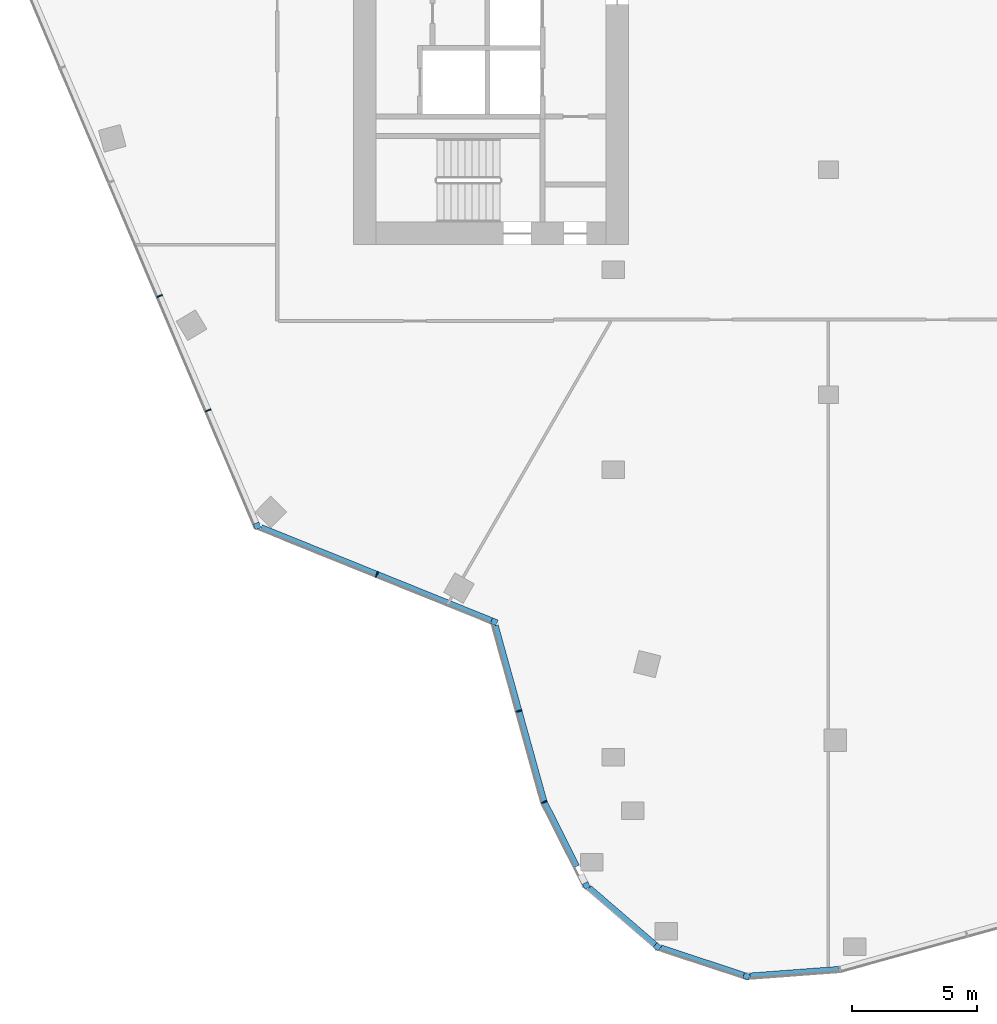
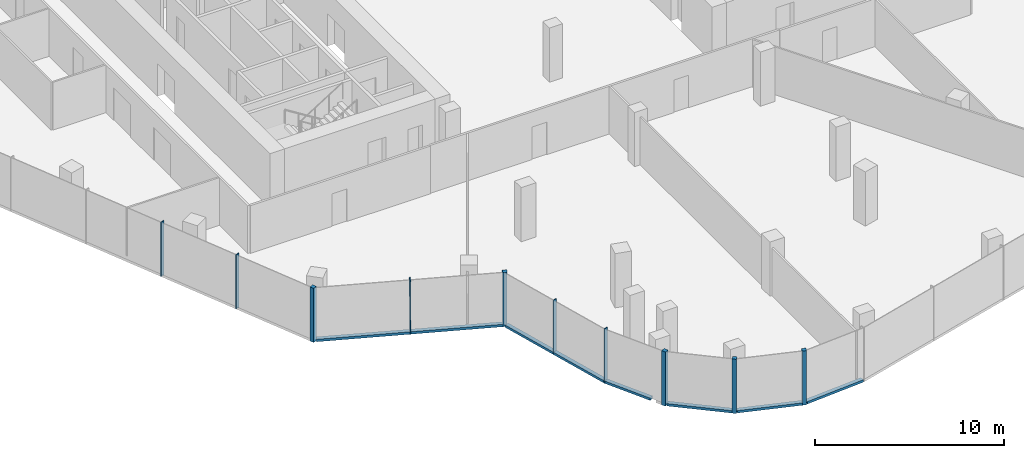
# One storey, part 2 of 16: 16 members, 7 elements without a shape of their own.
"""IFC4 building model written with IfcOpenShell, lengths in metres."""

from ifc_helpers import new_model, si_unit, direction, frame, origin, origin_2d, place, context, subcontext, project, spatial, rectangle, extrude, material, material_profile, profile_set, type_object, element, aggregate, save


model = new_model("IFC4")

# Units and contexts
model_context = context("Model", 3, precision=1e-05, world=origin(), true_north=direction((0.0, 1.0)))
body_context = subcontext(model_context, "Body", "Model", "MODEL_VIEW")
ifc_project = project(units=[si_unit("LENGTHUNIT", "METRE"), si_unit("AREAUNIT", "SQUARE_METRE"), si_unit("VOLUMEUNIT", "CUBIC_METRE"), si_unit("PLANEANGLEUNIT", "RADIAN"), si_unit("MASSUNIT", "GRAM", prefix="KILO")], contexts=[model_context])

# Site, building, storey
site_placement = place(None, origin())
site = spatial("IfcSite", under=ifc_project, at=site_placement, CompositionType="ELEMENT")
building_placement = place(site_placement, origin())
building = spatial("IfcBuilding", under=site, at=building_placement, Name="Orlundy Tower", CompositionType="ELEMENT")
storey_placement = place(building_placement, frame((0.0, 0.0, 285.89990234375)))
storey = spatial("IfcBuildingStorey", under=building, at=storey_placement, Name="L76", CompositionType="ELEMENT", Elevation=285.89990234375)

# Curtain wall, member
ifc_material_1 = material(Name="Aluminium bronze anodised", Category="aluminium")
curtain_wall_type = type_object("IfcCurtainWallType", Name="CW6 wall", PredefinedType="NOTDEFINED", material=ifc_material_1)
curtain_wall_1_placement = place(storey_placement, origin())
curtain_wall_1 = element("IfcCurtainWall", 1, at=curtain_wall_1_placement, inside=storey, type_object=curtain_wall_type, Name="CW6 run 09", PredefinedType="NOTDEFINED")
ifc_material_2 = material(Name="Aluminium bronze anodised", Category="aluminium")
ifc_material_profile_1 = material_profile(ifc_material_2, rectangle(XDim=0.239990234375, YDim=0.239990234375, at=origin_2d()), Name="CW6 corner post 240x240")
ifc_profile_set_1 = profile_set([ifc_material_profile_1], Name="Aluminium bronze anodised")
member_type_1 = type_object("IfcMemberType", Name="CW6 corner post 240x240", PredefinedType="MULLION", material=ifc_profile_set_1)
member_1_placement = place(storey_placement, frame((-3.27392578125, -41.265380859375, -0.39990234375), z_axis=(0.0, 0.0, 1.0), x_axis=(-0.313231470951, -0.949676811134, 0.0)))
member_1 = element("IfcMember", 2, at=member_1_placement, type_object=member_type_1, Name="CW6 mullion 15", PredefinedType="MULLION", context=body_context, shape_type="SweptSolid", body=[
    extrude(rectangle(XDim=0.239990234375, YDim=0.239990234375, at=origin_2d()), origin(), (0.0, 0.0, 1.0), 3.5),
])

curtain_wall_2_placement = place(storey_placement, origin())
curtain_wall_2 = element("IfcCurtainWall", 3, at=curtain_wall_2_placement, inside=storey, type_object=curtain_wall_type, Name="CW6 run 010", PredefinedType="NOTDEFINED")
member_2_placement = place(storey_placement, frame((-6.83935546875, -40.089599609375, -0.39990234375), z_axis=(0.0, 0.0, 1.0), x_axis=(-0.652678052104, -0.757635374241, 0.0)))
member_2 = element("IfcMember", 4, at=member_2_placement, type_object=member_type_1, Name="CW6 mullion 16", PredefinedType="MULLION", context=body_context, shape_type="SweptSolid", body=[
    extrude(rectangle(XDim=0.239990234375, YDim=0.239990234375, at=origin_2d()), origin(), (0.0, 0.0, 1.0), 3.5),
])

curtain_wall_3_placement = place(storey_placement, origin())
curtain_wall_3 = element("IfcCurtainWall", 5, at=curtain_wall_3_placement, inside=storey, type_object=curtain_wall_type, Name="CW6 run 011", PredefinedType="NOTDEFINED")
member_3_placement = place(storey_placement, frame((-9.683349609375, -37.639404296875, -0.39990234375), z_axis=(0.0, 0.0, 1.0), x_axis=(-0.893019858419, -0.450017257968, 0.0)))
member_3 = element("IfcMember", 6, at=member_3_placement, type_object=member_type_1, Name="CW6 mullion 17", PredefinedType="MULLION", context=body_context, shape_type="SweptSolid", body=[
    extrude(rectangle(XDim=0.239990234375, YDim=0.239990234375, at=origin_2d()), origin(), (0.0, 0.0, 1.0), 3.5),
])

curtain_wall_4_placement = place(storey_placement, origin())
curtain_wall_4 = element("IfcCurtainWall", 7, at=curtain_wall_4_placement, inside=storey, type_object=curtain_wall_type, Name="CW6 run 013", PredefinedType="NOTDEFINED")
member_4_placement = place(storey_placement, frame((-13.367919921875, -27.083984375, -0.39990234375), z_axis=(0.0, 0.0, 1.0), x_axis=(-0.374521193474, -0.927218353808, 0.0)))
member_4 = element("IfcMember", 8, at=member_4_placement, type_object=member_type_1, Name="CW6 mullion 20", PredefinedType="MULLION", context=body_context, shape_type="SweptSolid", body=[
    extrude(rectangle(XDim=0.239990234375, YDim=0.239990234375, at=origin_2d()), origin(), (0.0, 0.0, 1.0), 3.5),
])

curtain_wall_5_placement = place(storey_placement, origin())
curtain_wall_5 = element("IfcCurtainWall", 9, at=curtain_wall_5_placement, inside=storey, type_object=curtain_wall_type, Name="CW6 run 014", PredefinedType="NOTDEFINED")
member_5_placement = place(storey_placement, frame((-22.85107421875, -23.253662109375, -0.39990234375), z_axis=(0.0, 0.0, 1.0), x_axis=(-0.920506804854, -0.390726531244, 0.0)))
member_5 = element("IfcMember", 10, at=member_5_placement, type_object=member_type_1, Name="CW6 mullion 22", PredefinedType="MULLION", context=body_context, shape_type="SweptSolid", body=[
    extrude(rectangle(XDim=0.239990234375, YDim=0.239990234375, at=origin_2d()), origin(), (0.0, 0.0, 1.0), 3.5),
])

# Curtain wall, members
curtain_wall_6_placement = place(storey_placement, origin())
curtain_wall_6 = element("IfcCurtainWall", 11, at=curtain_wall_6_placement, inside=storey, type_object=curtain_wall_type, Name="CW6 run 012", PredefinedType="NOTDEFINED")
ifc_material_3 = material(Name="Aluminium bronze anodised", Category="aluminium")
ifc_material_profile_2 = material_profile(ifc_material_3, rectangle(XDim=0.239990234375, YDim=0.050048828125, at=origin_2d()), Name="CW6 mullion 50x240")
ifc_profile_set_2 = profile_set([ifc_material_profile_2], Name="Aluminium bronze anodised")
member_type_2 = type_object("IfcMemberType", Name="CW6 mullion 50x240", PredefinedType="MULLION", material=ifc_profile_set_2)
member_6_placement = place(storey_placement, frame((-11.367431640625, -34.29736328125, -0.39990234375), z_axis=(0.0, 0.0, 1.0), x_axis=(-0.93281502781, -0.360355552047, 0.0)))
member_6 = element("IfcMember", 12, at=member_6_placement, type_object=member_type_2, Name="CW6 mullion 18", PredefinedType="MULLION", context=body_context, shape_type="SweptSolid", body=[
    extrude(rectangle(XDim=0.239990234375, YDim=0.050048828125, at=origin_2d()), origin(), (0.0, 0.0, 1.0), 3.5),
])
member_7_placement = place(storey_placement, frame((-12.377197265625, -30.656494140625, -0.39990234375), z_axis=(0.0, 0.0, 1.0), x_axis=(-0.963633832911, -0.267226188967, 0.0)))
member_7 = element("IfcMember", 13, at=member_7_placement, type_object=member_type_2, Name="CW6 mullion 19", PredefinedType="MULLION", context=body_context, shape_type="SweptSolid", body=[
    extrude(rectangle(XDim=0.239990234375, YDim=0.050048828125, at=origin_2d()), origin(), (0.0, 0.0, 1.0), 3.5),
])

# Member
member_8_placement = place(storey_placement, frame((-18.058837890625, -25.189208984375, -0.39990234375), z_axis=(0.0, 0.0, 1.0), x_axis=(-0.374521193474, -0.927218353808, 0.0)))
member_8 = element("IfcMember", 14, at=member_8_placement, type_object=member_type_2, Name="CW6 mullion 21", PredefinedType="MULLION", context=body_context, shape_type="SweptSolid", body=[
    extrude(rectangle(XDim=0.239990234375, YDim=0.050048828125, at=origin_2d()), origin(), (0.0, 0.0, 1.0), 3.5),
])

member_9_placement = place(storey_placement, frame((-24.812744140625, -18.63232421875, -0.39990234375), z_axis=(0.0, 0.0, 1.0), x_axis=(-0.920506804854, -0.390726531244, 0.0)))
member_9 = element("IfcMember", 15, at=member_9_placement, type_object=member_type_2, Name="CW6 mullion 23", PredefinedType="MULLION", context=body_context, shape_type="SweptSolid", body=[
    extrude(rectangle(XDim=0.239990234375, YDim=0.050048828125, at=origin_2d()), origin(), (0.0, 0.0, 1.0), 3.5),
])

member_10_placement = place(storey_placement, frame((-26.7548828125, -14.056640625, -0.39990234375), z_axis=(0.0, 0.0, 1.0), x_axis=(-0.920506804854, -0.390726531244, 0.0)))
member_10 = element("IfcMember", 16, at=member_10_placement, type_object=member_type_2, Name="CW6 mullion 24", PredefinedType="MULLION", context=body_context, shape_type="SweptSolid", body=[
    extrude(rectangle(XDim=0.239990234375, YDim=0.050048828125, at=origin_2d()), origin(), (0.0, 0.0, 1.0), 3.5),
])

aggregate(curtain_wall_5, [member_5, member_9, member_10])

# Curtain wall, member
curtain_wall_7_placement = place(storey_placement, origin())
curtain_wall_7 = element("IfcCurtainWall", 17, at=curtain_wall_7_placement, inside=storey, type_object=curtain_wall_type, Name="CW6 run 08", PredefinedType="NOTDEFINED")
ifc_material_4 = material(Name="Aluminium bronze anodised", Category="aluminium")
ifc_material_profile_3 = material_profile(ifc_material_4, rectangle(XDim=0.239990234375, YDim=0.159912109375, at=origin_2d()), Name="CW6 transom 240x160")
ifc_profile_set_3 = profile_set([ifc_material_profile_3], Name="Aluminium bronze anodised")
member_type_3 = type_object("IfcMemberType", Name="CW6 transom 240x160", PredefinedType="USERDEFINED", material=ifc_profile_set_3)
member_11_placement = place(storey_placement, frame((0.43359375, -40.98974609375, -0.31982421875), z_axis=(-0.99724542867, -0.074172467912, 0.0), x_axis=(0.074172467912, -0.99724542867, 0.0)))
member_11 = element("IfcMember", 18, at=member_11_placement, type_object=member_type_3, Name="CW6 transom", ObjectType="TRANSOM", PredefinedType="USERDEFINED", context=body_context, shape_type="SweptSolid", body=[
    extrude(rectangle(XDim=0.239990234375, YDim=0.159912109375, at=origin_2d()), origin(), (0.0, 0.0, 1.0), 3.587646484375),
])
aggregate(curtain_wall_7, [member_11])

# Member
member_12_placement = place(storey_placement, frame((-3.387939453125, -41.227783203125, -0.31982421875), z_axis=(-0.949674874064, 0.313237343833, 0.0), x_axis=(-0.313237343833, -0.949674874064, 0.0)))
member_12 = element("IfcMember", 19, at=member_12_placement, type_object=member_type_3, Name="CW6 transom", ObjectType="TRANSOM", PredefinedType="USERDEFINED", context=body_context, shape_type="SweptSolid", body=[
    extrude(rectangle(XDim=0.239990234375, YDim=0.159912109375, at=origin_2d()), origin(), (0.0, 0.0, 1.0), 3.504150390625),
])

aggregate(curtain_wall_1, [member_1, member_12])

member_13_placement = place(storey_placement, frame((-6.93017578125, -40.01123046875, -0.31982421875), z_axis=(-0.757621411438, 0.652694259918, 0.0), x_axis=(-0.652694259918, -0.757621411438, 0.0)))
member_13 = element("IfcMember", 20, at=member_13_placement, type_object=member_type_3, Name="CW6 transom", ObjectType="TRANSOM", PredefinedType="USERDEFINED", context=body_context, shape_type="SweptSolid", body=[
    extrude(rectangle(XDim=0.239990234375, YDim=0.159912109375, at=origin_2d()), origin(), (0.0, 0.0, 1.0), 3.504150390625),
])

aggregate(curtain_wall_2, [member_2, member_13])

member_14_placement = place(storey_placement, frame((-10.068115234375, -36.876220703125, -0.31982421875), z_axis=(-0.449974763399, 0.893041271333, 0.0), x_axis=(-0.893041271333, -0.449974763399, 0.0)))
member_14 = element("IfcMember", 21, at=member_14_placement, type_object=member_type_3, Name="CW6 transom", ObjectType="TRANSOM", PredefinedType="USERDEFINED", context=body_context, shape_type="SweptSolid", body=[
    extrude(rectangle(XDim=0.239990234375, YDim=0.159912109375, at=origin_2d()), origin(), (0.0, 0.0, 1.0), 2.862548828125),
])

aggregate(curtain_wall_3, [member_3, member_14])

member_15_placement = place(storey_placement, frame((-11.374267578125, -34.273193359375, -0.31982421875), z_axis=(-0.267213156818, 0.963637446773, 0.0), x_axis=(-0.963637446773, -0.267213156818, 0.0)))
member_15 = element("IfcMember", 22, at=member_15_placement, type_object=member_type_3, Name="CW6 transom", ObjectType="TRANSOM", PredefinedType="USERDEFINED", context=body_context, shape_type="SweptSolid", body=[
    extrude(rectangle(XDim=0.239990234375, YDim=0.159912109375, at=origin_2d()), origin(), (0.0, 0.0, 1.0), 7.309326171875),
])

aggregate(curtain_wall_6, [member_6, member_7, member_15])

member_16_placement = place(storey_placement, frame((-13.47900390625, -27.0390625, -0.31982421875), z_axis=(-0.927219362219, 0.374518696898, 0.0), x_axis=(-0.374518696898, -0.927219362219, 0.0)))
member_16 = element("IfcMember", 23, at=member_16_placement, type_object=member_type_3, Name="CW6 transom", ObjectType="TRANSOM", PredefinedType="USERDEFINED", context=body_context, shape_type="SweptSolid", body=[
    extrude(rectangle(XDim=0.239990234375, YDim=0.159912109375, at=origin_2d()), origin(), (0.0, 0.0, 1.0), 9.93798828125),
])

aggregate(curtain_wall_4, [member_4, member_8, member_16])

save(model, "model.ifc")
